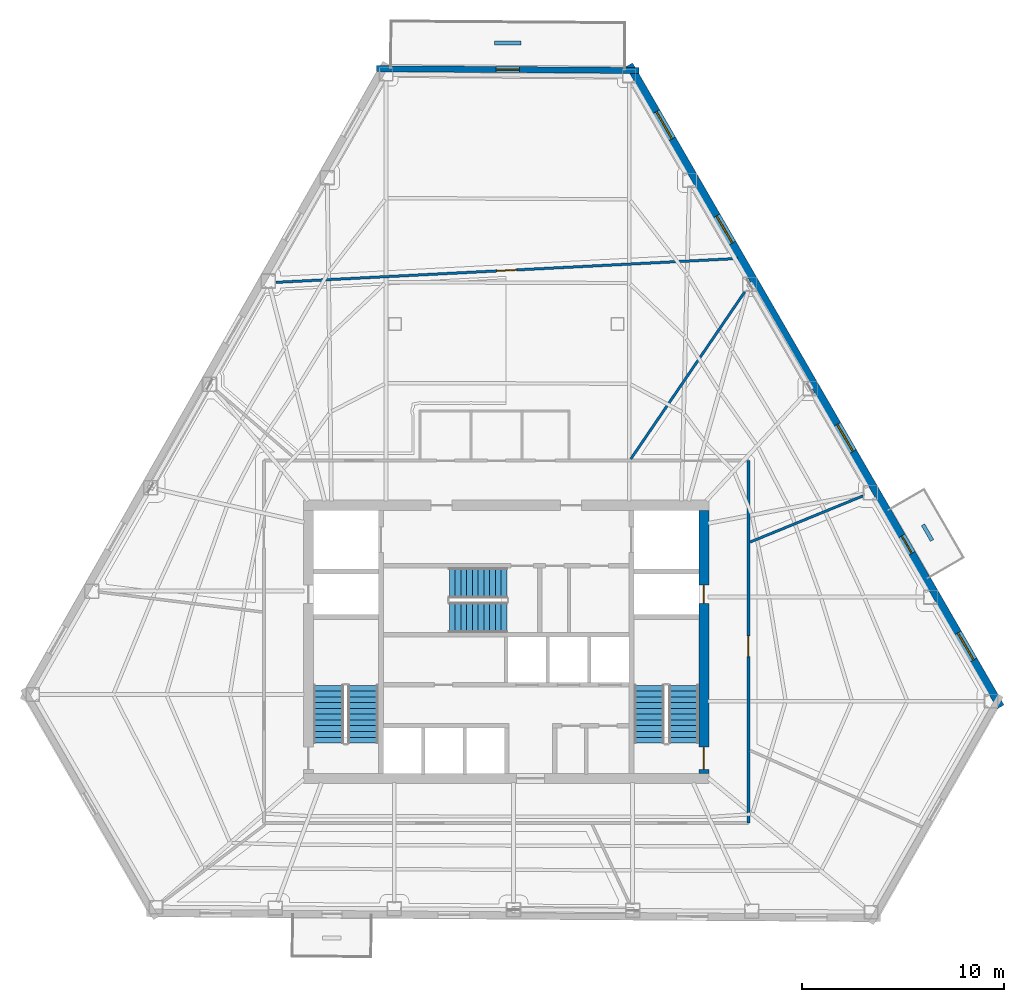
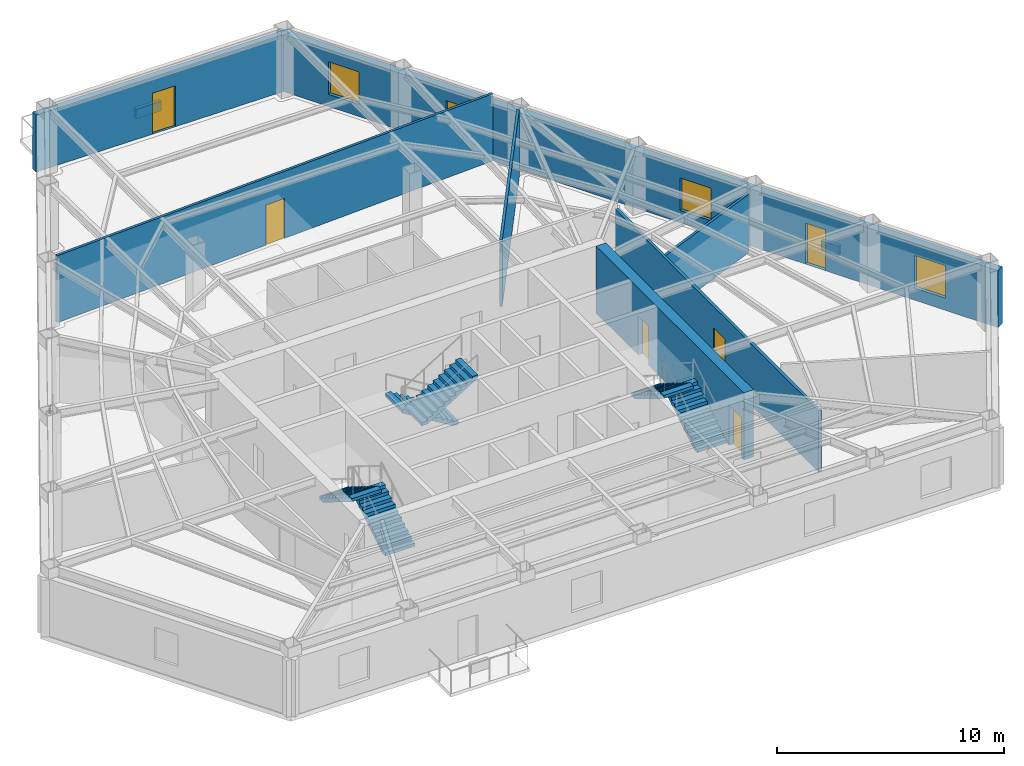
# One storey, part 7 of 9: 9 walls, 6 doors, 6 stair flights, 4 windows, 10 openings, 3 elements without a shape of their own.
"""IFC4 building model written with IfcOpenShell, lengths in metres."""

from ifc_helpers import new_model, si_unit, direction, frame, frame_2d, origin, place, context, subcontext, project, spatial, polyline, rectangle, outline, extrude, material, layer, layer_set, type_object, element, fill, aggregate, save


model = new_model("IFC4")

# Units and contexts
model_context = context("Model", 3, precision=1e-05, world=origin(), true_north=direction((0.0, 1.0)))
body_context = subcontext(model_context, "Body", "Model", "MODEL_VIEW")
ifc_project = project(units=[si_unit("LENGTHUNIT", "METRE"), si_unit("AREAUNIT", "SQUARE_METRE"), si_unit("VOLUMEUNIT", "CUBIC_METRE"), si_unit("PLANEANGLEUNIT", "RADIAN"), si_unit("MASSUNIT", "GRAM", prefix="KILO")], contexts=[model_context])

# Site, building, storey
site_placement = place(None, origin())
site = spatial("IfcSite", under=ifc_project, at=site_placement, CompositionType="ELEMENT")
building_placement = place(site_placement, origin())
building = spatial("IfcBuilding", under=site, at=building_placement, Name="Kavelnor Concourse Tower", CompositionType="ELEMENT")
storey_placement = place(building_placement, frame((0.0, 0.0, 112.449951171875)))
storey = spatial("IfcBuildingStorey", under=building, at=storey_placement, Name="L28", CompositionType="ELEMENT", Elevation=112.449951171875)

# Wall, openings, doors
ifc_material_1 = material(Name="Concrete C60/75", Category="concrete")
ifc_layer_1 = layer(ifc_material_1, 0.5, Name="Concrete C60/75")
ifc_layer_set_1 = layer_set([ifc_layer_1], Name="Concrete C60/75")
wall_type_1 = type_object("IfcWallType", Name="WL-CORE-Z2-500", PredefinedType="SOLIDWALL", material=ifc_layer_set_1)
wall_1_placement = place(storey_placement, frame((47.77001953125, 9.60009765625, 0.0), z_axis=(0.0, 0.0, 1.0), x_axis=(0.0, 1.0, 0.0)))
wall_1 = element("IfcWall", 1, at=wall_1_placement, inside=storey, type_object=wall_type_1, Name="L28 Central Core East Shear Wall", PredefinedType="SOLIDWALL", context=body_context, shape_type="SweptSolid", body=[
    extrude(rectangle(XDim=13.0, YDim=0.5, at=frame_2d((6.5, 0.0))), origin(), (0.0, 0.0, 1.0), 3.60009765625),
])
opening_1_placement = place(wall_1_placement, frame((0.199951171875, 0.0, 0.0)))
opening_1 = element("IfcOpeningElement", 2, at=opening_1_placement, cuts=wall_1, Name="Opening FD-110", PredefinedType="OPENING", context=body_context, shape_type="SweptSolid", body=[
    extrude(rectangle(XDim=1.10009765625, YDim=2.14990234375, at=frame_2d((0.550048828125, 1.074951171875))), frame((0.0, 0.260009765625, 0.0), z_axis=(0.0, -1.0, 0.0), x_axis=(1.0, 0.0, 0.0)), (0.0, 0.0, 1.0), 0.52001953125),
])
opening_2_placement = place(wall_1_placement, frame((8.39990234375, 0.0, 0.0)))
opening_2 = element("IfcOpeningElement", 3, at=opening_2_placement, cuts=wall_1, Name="Opening FD-090", PredefinedType="OPENING", context=body_context, shape_type="SweptSolid", body=[
    extrude(rectangle(XDim=0.89990234375, YDim=2.10009765625, at=frame_2d((0.449951171875, 1.050048828125))), frame((0.0, 0.260009765625, 0.0), z_axis=(0.0, -1.0, 0.0), x_axis=(1.0, 0.0, 0.0)), (0.0, 0.0, 1.0), 0.52001953125),
])
ifc_material_2 = material(Name="Steel Grade 350", Category="steel")
door_type_1 = type_object("IfcDoorType", Name="DR-RISER-FIRE-900", OperationType="NOTDEFINED", PredefinedType="DOOR", material=ifc_material_2)
door_1_placement = place(opening_2_placement, origin())
door_1 = element("IfcDoor", 4, at=door_1_placement, inside=storey, type_object=door_type_1, Name="L28 East Riser Access Door", OperationType="SINGLE_SWING_LEFT", OverallHeight=2.10009765625, OverallWidth=0.89990234375, PredefinedType="DOOR", context=body_context, shape_type="SweptSolid", body=[
    extrude(rectangle(XDim=0.89990234375, YDim=2.10009765625, at=frame_2d((0.449951171875, 1.050048828125))), frame((0.0, 0.02490234375, 0.0), z_axis=(0.0, -1.0, 0.0), x_axis=(1.0, 0.0, 0.0)), (0.0, 0.0, 1.0), 0.050048828125),
])
fill(opening_2, door_1)
door_type_2 = type_object("IfcDoorType", Name="DR-STAIR-FIRE-1100", OperationType="NOTDEFINED", PredefinedType="DOOR", material=ifc_material_2)
door_2_placement = place(opening_1_placement, origin())
door_2 = element("IfcDoor", 5, at=door_2_placement, inside=storey, type_object=door_type_2, Name="L28 Stair ST2 Fire Door", OperationType="SINGLE_SWING_RIGHT", OverallHeight=2.14990234375, OverallWidth=1.10009765625, PredefinedType="DOOR", context=body_context, shape_type="SweptSolid", body=[
    extrude(rectangle(XDim=1.10009765625, YDim=2.14990234375, at=frame_2d((0.550048828125, 1.074951171875))), frame((0.0, 0.02490234375, 0.0), z_axis=(0.0, -1.0, 0.0), x_axis=(1.0, 0.0, 0.0)), (0.0, 0.0, 1.0), 0.050048828125),
])
fill(opening_1, door_2)

# Wall, opening, door
ifc_material_3 = material(Name="Buff ironspot clay face brick masonry", Category="masonry")
ifc_layer_2 = layer(ifc_material_3, 0.300048828125, Name="Buff ironspot clay face brick masonry")
ifc_layer_set_2 = layer_set([ifc_layer_2], Name="Buff ironspot clay face brick masonry")
wall_type_2 = type_object("IfcWallType", Name="WL-EXT-BUFF-BRICK-FOLD-300", PredefinedType="STANDARD", material=ifc_layer_set_2)
wall_2_placement = place(storey_placement, frame((31.58935546875, 44.418212890625, 0.0), z_axis=(0.0, 0.0, 1.0), x_axis=(0.999976517764, -0.00685302279, 0.0)))
wall_2 = element("IfcWall", 6, at=wall_2_placement, inside=storey, type_object=wall_type_2, Name="L28 Exterior Brick Facade Wall E0", PredefinedType="STANDARD", context=body_context, shape_type="SweptSolid", body=[
    extrude(rectangle(XDim=12.967529296875, YDim=0.300048828125, at=frame_2d((6.48388671875, 0.0))), origin(), (0.0, 0.0, 1.0), 3.05908203125),
])
opening_3_placement = place(wall_2_placement, frame((5.90869140625, 0.0, 0.0)))
opening_3 = element("IfcOpeningElement", 7, at=opening_3_placement, cuts=wall_2, Name="Opening TD-115", PredefinedType="OPENING", context=body_context, shape_type="SweptSolid", body=[
    extrude(rectangle(XDim=1.14990234375, YDim=2.199951171875, at=frame_2d((0.574951171875, 1.10009765625))), frame((0.0, 0.16015625, 0.0), z_axis=(0.0, -1.0, 0.0), x_axis=(1.0, 0.0, 0.0)), (0.0, 0.0, 1.0), 0.320068359375),
])
ifc_material_4 = material(Name="Anodised aluminium 6063-T6", Category="aluminium")
door_type_3 = type_object("IfcDoorType", Name="DR-TERRACE-EXT-1150", OperationType="NOTDEFINED", PredefinedType="DOOR", material=ifc_material_4)
door_3_placement = place(opening_3_placement, origin())
door_3 = element("IfcDoor", 8, at=door_3_placement, inside=storey, type_object=door_type_3, Name="L28 Spiral Sky Terrace Access Door", OperationType="SINGLE_SWING_LEFT", OverallHeight=2.199951171875, OverallWidth=1.14990234375, PredefinedType="DOOR", context=body_context, shape_type="SweptSolid", body=[
    extrude(rectangle(XDim=1.14990234375, YDim=2.199951171875, at=frame_2d((0.574951171875, 1.10009765625))), frame((0.0, 0.02490234375, 0.0), z_axis=(0.0, -1.0, 0.0), x_axis=(1.0, 0.0, 0.0)), (0.0, 0.0, 1.0), 0.050048828125),
])
fill(opening_3, door_3)

# Wall, openings, door, windows
ifc_material_5 = material(Name="Red-ochre clay face brick masonry", Category="masonry")
ifc_layer_3 = layer(ifc_material_5, 0.3798828125, Name="Red-ochre clay face brick masonry")
ifc_layer_set_3 = layer_set([ifc_layer_3], Name="Red-ochre clay face brick masonry")
wall_type_3 = type_object("IfcWallType", Name="WL-EXT-RED-BRICK-PIER-380", PredefinedType="STANDARD", material=ifc_layer_set_3)
wall_3_placement = place(storey_placement, frame((44.076171875, 44.608642578125, 0.0), z_axis=(0.0, 0.0, 1.0), x_axis=(0.500826973377, -0.865547423737, 0.0)))
wall_3 = element("IfcWall", 9, at=wall_3_placement, inside=storey, type_object=wall_type_3, Name="L28 Exterior Brick Facade Wall E5", PredefinedType="STANDARD", context=body_context, shape_type="SweptSolid", body=[
    extrude(rectangle(XDim=36.64990234375, YDim=0.3798828125, at=frame_2d((18.324951171875, 0.0))), origin(), (0.0, 0.0, 1.0), 3.05908203125),
])
opening_4_placement = place(wall_3_placement, frame((26.88720703125, 0.0, 0.0)))
opening_4 = element("IfcOpeningElement", 10, at=opening_4_placement, cuts=wall_3, Name="Opening BD-100", PredefinedType="OPENING", context=body_context, shape_type="SweptSolid", body=[
    extrude(rectangle(XDim=1.0, YDim=2.199951171875, at=frame_2d((0.5, 1.10009765625))), frame((0.0, 0.199951171875, 0.0), z_axis=(0.0, -1.0, 0.0), x_axis=(1.0, 0.0, 0.0)), (0.0, 0.0, 1.0), 0.39990234375),
])
opening_5_placement = place(wall_3_placement, frame((32.42431640625, 0.0, 0.64990234375)))
opening_5 = element("IfcOpeningElement", 11, at=opening_5_placement, cuts=wall_3, Name="Opening W-02", PredefinedType="OPENING", context=body_context, shape_type="SweptSolid", body=[
    extrude(rectangle(XDim=1.550048828125, YDim=1.75, at=frame_2d((0.77490234375, 0.875))), frame((0.0, 0.199951171875, 0.0), z_axis=(0.0, -1.0, 0.0), x_axis=(1.0, 0.0, 0.0)), (0.0, 0.0, 1.0), 0.39990234375),
])
opening_6_placement = place(wall_3_placement, frame((20.5244140625, 0.0, 0.64990234375)))
opening_6 = element("IfcOpeningElement", 12, at=opening_6_placement, cuts=wall_3, Name="Opening W-02", PredefinedType="OPENING", context=body_context, shape_type="SweptSolid", body=[
    extrude(rectangle(XDim=1.550048828125, YDim=1.75, at=frame_2d((0.77490234375, 0.875))), frame((0.0, 0.199951171875, 0.0), z_axis=(0.0, -1.0, 0.0), x_axis=(1.0, 0.0, 0.0)), (0.0, 0.0, 1.0), 0.39990234375),
])
opening_7_placement = place(wall_3_placement, frame((8.62451171875, 0.0, 0.64990234375)))
opening_7 = element("IfcOpeningElement", 13, at=opening_7_placement, cuts=wall_3, Name="Opening W-02", PredefinedType="OPENING", context=body_context, shape_type="SweptSolid", body=[
    extrude(rectangle(XDim=1.550048828125, YDim=1.75, at=frame_2d((0.77490234375, 0.875))), frame((0.0, 0.199951171875, 0.0), z_axis=(0.0, -1.0, 0.0), x_axis=(1.0, 0.0, 0.0)), (0.0, 0.0, 1.0), 0.39990234375),
])
opening_8_placement = place(wall_3_placement, frame((2.674560546875, 0.0, 0.64990234375)))
opening_8 = element("IfcOpeningElement", 14, at=opening_8_placement, cuts=wall_3, Name="Opening W-02", PredefinedType="OPENING", context=body_context, shape_type="SweptSolid", body=[
    extrude(rectangle(XDim=1.550048828125, YDim=1.75, at=frame_2d((0.77490234375, 0.875))), frame((0.0, 0.199951171875, 0.0), z_axis=(0.0, -1.0, 0.0), x_axis=(1.0, 0.0, 0.0)), (0.0, 0.0, 1.0), 0.39990234375),
])
door_type_4 = type_object("IfcDoorType", Name="DR-BALCONY-EXT-1000", OperationType="NOTDEFINED", PredefinedType="DOOR", material=ifc_material_4)
door_4_placement = place(opening_4_placement, origin())
door_4 = element("IfcDoor", 15, at=door_4_placement, inside=storey, type_object=door_type_4, Name="L28 Tree Balcony 2 Glazed Door", OperationType="SINGLE_SWING_RIGHT", OverallHeight=2.199951171875, OverallWidth=1.0, PredefinedType="DOOR", context=body_context, shape_type="SweptSolid", body=[
    extrude(rectangle(XDim=1.0, YDim=2.199951171875, at=frame_2d((0.5, 1.10009765625))), frame((0.0, 0.02490234375, 0.0), z_axis=(0.0, -1.0, 0.0), x_axis=(1.0, 0.0, 0.0)), (0.0, 0.0, 1.0), 0.050048828125),
])
fill(opening_4, door_4)
ifc_material_6 = material(Name="Double low-E argon insulated glazing", Category="glass")
window_type = type_object("IfcWindowType", Name="WIN-PIER-Z2-1650", PartitioningType="SINGLE_PANEL", PredefinedType="WINDOW", material=ifc_material_6)
window_1_placement = place(opening_5_placement, origin())
window_1 = element("IfcWindow", 16, at=window_1_placement, inside=storey, type_object=window_type, Name="L28 Deep-Set Brick Pier Window F2-B0", OverallHeight=1.75, OverallWidth=1.550048828125, PartitioningType="SINGLE_PANEL", PredefinedType="WINDOW", context=body_context, shape_type="SweptSolid", body=[
    extrude(rectangle(XDim=1.550048828125, YDim=1.75, at=frame_2d((0.77490234375, 0.875))), frame((0.0, 0.030029296875, 0.0), z_axis=(0.0, -1.0, 0.0), x_axis=(1.0, 0.0, 0.0)), (0.0, 0.0, 1.0), 0.06005859375),
])
fill(opening_5, window_1)
window_2_placement = place(opening_6_placement, origin())
window_2 = element("IfcWindow", 17, at=window_2_placement, inside=storey, type_object=window_type, Name="L28 Deep-Set Brick Pier Window F2-B2", OverallHeight=1.75, OverallWidth=1.550048828125, PartitioningType="SINGLE_PANEL", PredefinedType="WINDOW", context=body_context, shape_type="SweptSolid", body=[
    extrude(rectangle(XDim=1.550048828125, YDim=1.75, at=frame_2d((0.77490234375, 0.875))), frame((0.0, 0.030029296875, 0.0), z_axis=(0.0, -1.0, 0.0), x_axis=(1.0, 0.0, 0.0)), (0.0, 0.0, 1.0), 0.06005859375),
])
fill(opening_6, window_2)
window_3_placement = place(opening_7_placement, origin())
window_3 = element("IfcWindow", 18, at=window_3_placement, inside=storey, type_object=window_type, Name="L28 Deep-Set Brick Pier Window F2-B4", OverallHeight=1.75, OverallWidth=1.550048828125, PartitioningType="SINGLE_PANEL", PredefinedType="WINDOW", context=body_context, shape_type="SweptSolid", body=[
    extrude(rectangle(XDim=1.550048828125, YDim=1.75, at=frame_2d((0.77490234375, 0.875))), frame((0.0, 0.030029296875, 0.0), z_axis=(0.0, -1.0, 0.0), x_axis=(1.0, 0.0, 0.0)), (0.0, 0.0, 1.0), 0.06005859375),
])
fill(opening_7, window_3)
window_4_placement = place(opening_8_placement, origin())
window_4 = element("IfcWindow", 19, at=window_4_placement, inside=storey, type_object=window_type, Name="L28 Deep-Set Brick Pier Window F2-B5", OverallHeight=1.75, OverallWidth=1.550048828125, PartitioningType="SINGLE_PANEL", PredefinedType="WINDOW", context=body_context, shape_type="SweptSolid", body=[
    extrude(rectangle(XDim=1.550048828125, YDim=1.75, at=frame_2d((0.77490234375, 0.875))), frame((0.0, 0.030029296875, 0.0), z_axis=(0.0, -1.0, 0.0), x_axis=(1.0, 0.0, 0.0)), (0.0, 0.0, 1.0), 0.06005859375),
])
fill(opening_8, window_4)

# Wall, opening, door
ifc_material_7 = material(Name="Gypsum plasterboard on light-gauge steel studs", Category="steel")
ifc_layer_4 = layer(ifc_material_7, 0.14501953125, Name="Gypsum plasterboard on light-gauge steel studs")
ifc_layer_set_4 = layer_set([ifc_layer_4], Name="Gypsum plasterboard on light-gauge steel studs")
wall_type_4 = type_object("IfcWallType", Name="WL-INT-CORR-145", PredefinedType="PARTITIONING", material=ifc_layer_set_4)
wall_4_placement = place(storey_placement, frame((49.969970703125, 7.14990234375, 0.0), z_axis=(0.0, 0.0, 1.0), x_axis=(0.0, 1.0, 0.0)))
wall_4 = element("IfcWall", 20, at=wall_4_placement, inside=storey, type_object=wall_type_4, Name="L28 Corridor Wall WL-L28-CR-01", PredefinedType="PARTITIONING", context=body_context, shape_type="SweptSolid", body=[
    extrude(rectangle(XDim=17.900146484375, YDim=0.14501953125, at=frame_2d((8.9501953125, 0.0))), origin(), (0.0, 0.0, 1.0), 3.2880859375),
])
opening_9_placement = place(wall_4_placement, frame((8.22216796875, 0.0, 0.0)))
opening_9 = element("IfcOpeningElement", 21, at=opening_9_placement, cuts=wall_4, Name="Opening MD-102", PredefinedType="OPENING", context=body_context, shape_type="SweptSolid", body=[
    extrude(rectangle(XDim=1.02001953125, YDim=2.14990234375, at=frame_2d((0.510009765625, 1.074951171875))), frame((0.0, 0.08251953125, 0.0), z_axis=(0.0, -1.0, 0.0), x_axis=(1.0, 0.0, 0.0)), (0.0, 0.0, 1.0), 0.1650390625),
])
ifc_material_8 = material(Name="Acoustic glazed timber frame", Category="wood")
door_type_5 = type_object("IfcDoorType", Name="DR-MEETING-1020", OperationType="NOTDEFINED", PredefinedType="DOOR", material=ifc_material_8)
door_5_placement = place(opening_9_placement, origin())
door_5 = element("IfcDoor", 22, at=door_5_placement, inside=storey, type_object=door_type_5, Name="L28 Client Boardroom 08 Door", OperationType="SINGLE_SWING_LEFT", OverallHeight=2.14990234375, OverallWidth=1.02001953125, PredefinedType="DOOR", context=body_context, shape_type="SweptSolid", body=[
    extrude(rectangle(XDim=1.02001953125, YDim=2.14990234375, at=frame_2d((0.510009765625, 1.074951171875))), frame((0.0, 0.02490234375, 0.0), z_axis=(0.0, -1.0, 0.0), x_axis=(1.0, 0.0, 0.0)), (0.0, 0.0, 1.0), 0.050048828125),
])
fill(opening_9, door_5)

# Walls
ifc_layer_5 = layer(ifc_material_7, 0.125, Name="Gypsum plasterboard on light-gauge steel studs")
ifc_layer_set_5 = layer_set([ifc_layer_5], Name="Gypsum plasterboard on light-gauge steel studs")
wall_type_5 = type_object("IfcWallType", Name="WL-INT-SUITE-125", PredefinedType="PARTITIONING", material=ifc_layer_set_5)
wall_5_placement = place(storey_placement, frame((50.050537109375, 21.029296875, 0.0), z_axis=(0.0, 0.0, 1.0), x_axis=(0.925558564756, 0.378604468024, 0.0)))
element("IfcWall", 23, at=wall_5_placement, inside=storey, type_object=wall_type_5, Name="L28 Radial Suite Partition 01", PredefinedType="PARTITIONING", context=body_context, shape_type="SweptSolid", body=[
    extrude(rectangle(XDim=6.030029296875, YDim=0.125, at=frame_2d((3.01513671875, 0.0))), origin(), (0.0, 0.0, 1.0), 3.14111328125),
])
wall_6_placement = place(storey_placement, frame((44.15576171875, 25.130615234375, 0.0), z_axis=(0.0, 0.0, 1.0), x_axis=(0.563244412967, 0.826290343197, 0.0)))
element("IfcWall", 24, at=wall_6_placement, inside=storey, type_object=wall_type_5, Name="L28 Radial Suite Partition 02", PredefinedType="PARTITIONING", context=body_context, shape_type="SweptSolid", body=[
    extrude(rectangle(XDim=10.00146484375, YDim=0.125, at=frame_2d((5.000732421875, 0.0))), origin(), (0.0, 0.0, 1.0), 3.60009765625),
])

# Wall, opening, door
wall_7_placement = place(storey_placement, frame((49.439453125, 35.040283203125, 0.0), z_axis=(0.0, 0.0, 1.0), x_axis=(-0.998667112639, -0.051613933513, 0.0)))
wall_7 = element("IfcWall", 25, at=wall_7_placement, inside=storey, type_object=wall_type_5, Name="L28 Suite Subdivision Partition 02", PredefinedType="PARTITIONING", context=body_context, shape_type="SweptSolid", body=[
    extrude(rectangle(XDim=22.851318359375, YDim=0.125, at=frame_2d((11.42578125, 0.0))), origin(), (0.0, 0.0, 1.0), 3.60009765625),
])
opening_10_placement = place(wall_7_placement, frame((10.935546875, 0.0, 0.0)))
opening_10 = element("IfcOpeningElement", 26, at=opening_10_placement, cuts=wall_7, Name="Opening OD-098", PredefinedType="OPENING", context=body_context, shape_type="SweptSolid", body=[
    extrude(rectangle(XDim=0.97998046875, YDim=2.14990234375, at=frame_2d((0.489990234375, 1.074951171875))), frame((0.0, 0.072509765625, 0.0), z_axis=(0.0, -1.0, 0.0), x_axis=(1.0, 0.0, 0.0)), (0.0, 0.0, 1.0), 0.14501953125),
])
ifc_material_9 = material(Name="Solid-core hardwood timber", Category="wood")
door_type_6 = type_object("IfcDoorType", Name="DR-OFFICE-980", OperationType="NOTDEFINED", PredefinedType="DOOR", material=ifc_material_9)
door_6_placement = place(opening_10_placement, origin())
door_6 = element("IfcDoor", 27, at=door_6_placement, inside=storey, type_object=door_type_6, Name="L28 Architectural Design Studio 03 Door", OperationType="SINGLE_SWING_RIGHT", OverallHeight=2.14990234375, OverallWidth=0.97998046875, PredefinedType="DOOR", context=body_context, shape_type="SweptSolid", body=[
    extrude(rectangle(XDim=0.97998046875, YDim=2.14990234375, at=frame_2d((0.489990234375, 1.074951171875))), frame((0.0, 0.02490234375, 0.0), z_axis=(0.0, -1.0, 0.0), x_axis=(1.0, 0.0, 0.0)), (0.0, 0.0, 1.0), 0.050048828125),
])
fill(opening_10, door_6)

# Walls
ifc_material_10 = material(Name="Architectural precast planter concrete C40/50", Category="concrete")
ifc_layer_6 = layer(ifc_material_10, 0.18994140625, Name="Architectural precast planter concrete C40/50")
ifc_layer_set_6 = layer_set([ifc_layer_6], Name="Architectural precast planter concrete C40/50")
wall_type_6 = type_object("IfcWallType", Name="WL-PLANTER-KERB-190", PredefinedType="USERDEFINED", material=ifc_layer_set_6)
wall_8_placement = place(storey_placement, frame((38.73193359375, 45.67919921875, 0.0), z_axis=(0.0, 0.0, 1.0), x_axis=(-0.999977148175, 0.006760408889, 0.0)))
element("IfcWall", 28, at=wall_8_placement, inside=storey, type_object=wall_type_6, Name="L28 Spiral Terrace Landscaped Planter Kerb", ObjectType="PLANTER", PredefinedType="USERDEFINED", context=body_context, shape_type="SweptSolid", body=[
    extrude(rectangle(XDim=1.300048828125, YDim=0.18994140625, at=frame_2d((0.64990234375, 0.0))), origin(), (0.0, 0.0, 1.0), 0.52001953125),
])
wall_9_placement = place(storey_placement, frame((59.04345703125, 21.107666015625, 0.0), z_axis=(0.0, 0.0, 1.0), x_axis=(-0.500747535571, 0.865593383535, 0.0)))
element("IfcWall", 29, at=wall_9_placement, inside=storey, type_object=wall_type_6, Name="L28 Tree Balcony 2 Tree Planter Kerb", ObjectType="PLANTER", PredefinedType="USERDEFINED", context=body_context, shape_type="SweptSolid", body=[
    extrude(rectangle(XDim=0.89990234375, YDim=0.18994140625, at=frame_2d((0.449951171875, 0.0))), origin(), (0.0, 0.0, 1.0), 0.5),
])

# Stair, stair flights
ifc_material_11 = material(Name="Concrete C40/50", Category="concrete")
stair_type = type_object("IfcStairType", Name="STR-CORE-1500", PredefinedType="HALF_TURN_STAIR", material=ifc_material_11)
stair_1_placement = place(storey_placement, origin())
stair_1 = element("IfcStair", 30, at=stair_1_placement, inside=storey, type_object=stair_type, Name="L28 ST1", PredefinedType="HALF_TURN_STAIR")
stair_flight_type = type_object("IfcStairFlightType", Name="STR-FLIGHT-1500", PredefinedType="STRAIGHT", material=ifc_material_11)
stair_flight_1_placement = place(storey_placement, frame((30.929931640625, 11.10009765625, 0.0), z_axis=(0.0, 0.0, 1.0), x_axis=(0.0, 1.0, 0.0)))
stair_flight_1 = element("IfcStairFlight", 31, at=stair_flight_1_placement, type_object=stair_flight_type, Name="ST1 flight 1", NumberOfRisers=11, NumberOfTreads=10, PredefinedType="STRAIGHT", RiserHeight=0.175, TreadLength=0.285, context=body_context, shape_type="SweptSolid", body=[
    extrude(outline(polyline([(0.0, 0.0), (0.0, 0.175048828125), (0.284912109375, 0.175048828125), (0.284912109375, 0.35009765625), (0.570068359375, 0.35009765625), (0.570068359375, 0.52490234375), (0.85498046875, 0.52490234375), (0.85498046875, 0.699951171875), (1.139892578125, 0.699951171875), (1.139892578125, 0.875), (1.425048828125, 0.875), (1.425048828125, 1.050048828125), (1.7099609375, 1.050048828125), (1.7099609375, 1.22509765625), (1.9951171875, 1.22509765625), (1.9951171875, 1.39990234375), (2.280029296875, 1.39990234375), (2.280029296875, 1.574951171875), (2.56494140625, 1.574951171875), (2.56494140625, 1.75), (2.85009765625, 1.75), (2.85009765625, 1.925048828125), (2.85009765625, 1.573974609375), (0.286376953125, 0.0), (0.0, 0.0)])), frame((0.0, 0.75, 0.0), z_axis=(0.0, -1.0, 0.0), x_axis=(1.0, 0.0, 0.0)), (0.0, 0.0, 1.0), 1.5),
])
stair_flight_2_placement = place(storey_placement, frame((29.22998046875, 13.949951171875, 1.925048828125), z_axis=(0.0, 0.0, 1.0), x_axis=(0.0, -1.0, 0.0)))
stair_flight_2 = element("IfcStairFlight", 32, at=stair_flight_2_placement, type_object=stair_flight_type, Name="ST1 flight 2", NumberOfRisers=11, NumberOfTreads=10, PredefinedType="STRAIGHT", RiserHeight=0.175, TreadLength=0.285, context=body_context, shape_type="SweptSolid", body=[
    extrude(outline(polyline([(0.0, 0.0), (0.0, 0.175048828125), (0.284912109375, 0.175048828125), (0.284912109375, 0.35009765625), (0.570068359375, 0.35009765625), (0.570068359375, 0.52490234375), (0.85498046875, 0.52490234375), (0.85498046875, 0.699951171875), (1.139892578125, 0.699951171875), (1.139892578125, 0.875), (1.425048828125, 0.875), (1.425048828125, 1.050048828125), (1.7099609375, 1.050048828125), (1.7099609375, 1.22509765625), (1.9951171875, 1.22509765625), (1.9951171875, 1.39990234375), (2.280029296875, 1.39990234375), (2.280029296875, 1.574951171875), (2.56494140625, 1.574951171875), (2.56494140625, 1.75), (2.85009765625, 1.75), (2.85009765625, 1.925048828125), (2.85009765625, 1.573974609375), (0.286376953125, 0.0), (0.0, 0.0)])), frame((0.0, 0.75, 0.0), z_axis=(0.0, -1.0, 0.0), x_axis=(1.0, 0.0, 0.0)), (0.0, 0.0, 1.0), 1.5),
])
aggregate(stair_1, [stair_flight_1, stair_flight_2])

stair_2_placement = place(storey_placement, origin())
stair_2 = element("IfcStair", 33, at=stair_2_placement, inside=storey, type_object=stair_type, Name="L28 ST2", PredefinedType="HALF_TURN_STAIR")
stair_flight_3_placement = place(storey_placement, frame((46.77001953125, 11.10009765625, 0.0), z_axis=(0.0, 0.0, 1.0), x_axis=(0.0, 1.0, 0.0)))
stair_flight_3 = element("IfcStairFlight", 34, at=stair_flight_3_placement, type_object=stair_flight_type, Name="ST2 flight 1", NumberOfRisers=11, NumberOfTreads=10, PredefinedType="STRAIGHT", RiserHeight=0.175, TreadLength=0.285, context=body_context, shape_type="SweptSolid", body=[
    extrude(outline(polyline([(0.0, 0.0), (0.0, 0.175048828125), (0.284912109375, 0.175048828125), (0.284912109375, 0.35009765625), (0.570068359375, 0.35009765625), (0.570068359375, 0.52490234375), (0.85498046875, 0.52490234375), (0.85498046875, 0.699951171875), (1.139892578125, 0.699951171875), (1.139892578125, 0.875), (1.425048828125, 0.875), (1.425048828125, 1.050048828125), (1.7099609375, 1.050048828125), (1.7099609375, 1.22509765625), (1.9951171875, 1.22509765625), (1.9951171875, 1.39990234375), (2.280029296875, 1.39990234375), (2.280029296875, 1.574951171875), (2.56494140625, 1.574951171875), (2.56494140625, 1.75), (2.85009765625, 1.75), (2.85009765625, 1.925048828125), (2.85009765625, 1.573974609375), (0.286376953125, 0.0), (0.0, 0.0)])), frame((0.0, 0.75, 0.0), z_axis=(0.0, -1.0, 0.0), x_axis=(1.0, 0.0, 0.0)), (0.0, 0.0, 1.0), 1.5),
])
stair_flight_4_placement = place(storey_placement, frame((45.070068359375, 13.949951171875, 1.925048828125), z_axis=(0.0, 0.0, 1.0), x_axis=(0.0, -1.0, 0.0)))
stair_flight_4 = element("IfcStairFlight", 35, at=stair_flight_4_placement, type_object=stair_flight_type, Name="ST2 flight 2", NumberOfRisers=11, NumberOfTreads=10, PredefinedType="STRAIGHT", RiserHeight=0.175, TreadLength=0.285, context=body_context, shape_type="SweptSolid", body=[
    extrude(outline(polyline([(0.0, 0.0), (0.0, 0.175048828125), (0.284912109375, 0.175048828125), (0.284912109375, 0.35009765625), (0.570068359375, 0.35009765625), (0.570068359375, 0.52490234375), (0.85498046875, 0.52490234375), (0.85498046875, 0.699951171875), (1.139892578125, 0.699951171875), (1.139892578125, 0.875), (1.425048828125, 0.875), (1.425048828125, 1.050048828125), (1.7099609375, 1.050048828125), (1.7099609375, 1.22509765625), (1.9951171875, 1.22509765625), (1.9951171875, 1.39990234375), (2.280029296875, 1.39990234375), (2.280029296875, 1.574951171875), (2.56494140625, 1.574951171875), (2.56494140625, 1.75), (2.85009765625, 1.75), (2.85009765625, 1.925048828125), (2.85009765625, 1.573974609375), (0.286376953125, 0.0), (0.0, 0.0)])), frame((0.0, 0.75, 0.0), z_axis=(0.0, -1.0, 0.0), x_axis=(1.0, 0.0, 0.0)), (0.0, 0.0, 1.0), 1.5),
])
aggregate(stair_2, [stair_flight_3, stair_flight_4])

stair_3_placement = place(storey_placement, origin())
stair_3 = element("IfcStair", 36, at=stair_3_placement, inside=storey, type_object=stair_type, Name="L28 ST3", PredefinedType="HALF_TURN_STAIR")
stair_flight_5_placement = place(storey_placement, frame((38.0400390625, 19.010009765625, 0.0), z_axis=(0.0, 0.0, 1.0), x_axis=(-1.0, 0.0, 0.0)))
stair_flight_5 = element("IfcStairFlight", 37, at=stair_flight_5_placement, type_object=stair_flight_type, Name="ST3 flight 1", NumberOfRisers=11, NumberOfTreads=10, PredefinedType="STRAIGHT", RiserHeight=0.175, TreadLength=0.285, context=body_context, shape_type="SweptSolid", body=[
    extrude(outline(polyline([(0.0, 0.0), (0.0, 0.175048828125), (0.284912109375, 0.175048828125), (0.284912109375, 0.35009765625), (0.570068359375, 0.35009765625), (0.570068359375, 0.52490234375), (0.85498046875, 0.52490234375), (0.85498046875, 0.699951171875), (1.139892578125, 0.699951171875), (1.139892578125, 0.875), (1.425048828125, 0.875), (1.425048828125, 1.050048828125), (1.7099609375, 1.050048828125), (1.7099609375, 1.22509765625), (1.9951171875, 1.22509765625), (1.9951171875, 1.39990234375), (2.280029296875, 1.39990234375), (2.280029296875, 1.574951171875), (2.56494140625, 1.574951171875), (2.56494140625, 1.75), (2.85009765625, 1.75), (2.85009765625, 1.925048828125), (2.85009765625, 1.573974609375), (0.286376953125, 0.0), (0.0, 0.0)])), frame((0.0, 0.75, 0.0), z_axis=(0.0, -1.0, 0.0), x_axis=(1.0, 0.0, 0.0)), (0.0, 0.0, 1.0), 1.5),
])
stair_flight_6_placement = place(storey_placement, frame((35.18994140625, 17.31005859375, 1.925048828125), z_axis=(0.0, 0.0, 1.0), x_axis=(1.0, 0.0, 0.0)))
stair_flight_6 = element("IfcStairFlight", 38, at=stair_flight_6_placement, type_object=stair_flight_type, Name="ST3 flight 2", NumberOfRisers=11, NumberOfTreads=10, PredefinedType="STRAIGHT", RiserHeight=0.175, TreadLength=0.285, context=body_context, shape_type="SweptSolid", body=[
    extrude(outline(polyline([(0.0, 0.0), (0.0, 0.175048828125), (0.284912109375, 0.175048828125), (0.284912109375, 0.35009765625), (0.570068359375, 0.35009765625), (0.570068359375, 0.52490234375), (0.85498046875, 0.52490234375), (0.85498046875, 0.699951171875), (1.139892578125, 0.699951171875), (1.139892578125, 0.875), (1.425048828125, 0.875), (1.425048828125, 1.050048828125), (1.7099609375, 1.050048828125), (1.7099609375, 1.22509765625), (1.9951171875, 1.22509765625), (1.9951171875, 1.39990234375), (2.280029296875, 1.39990234375), (2.280029296875, 1.574951171875), (2.56494140625, 1.574951171875), (2.56494140625, 1.75), (2.85009765625, 1.75), (2.85009765625, 1.925048828125), (2.85009765625, 1.573974609375), (0.286376953125, 0.0), (0.0, 0.0)])), frame((0.0, 0.75, 0.0), z_axis=(0.0, -1.0, 0.0), x_axis=(1.0, 0.0, 0.0)), (0.0, 0.0, 1.0), 1.5),
])
aggregate(stair_3, [stair_flight_5, stair_flight_6])

save(model, "model.ifc")
